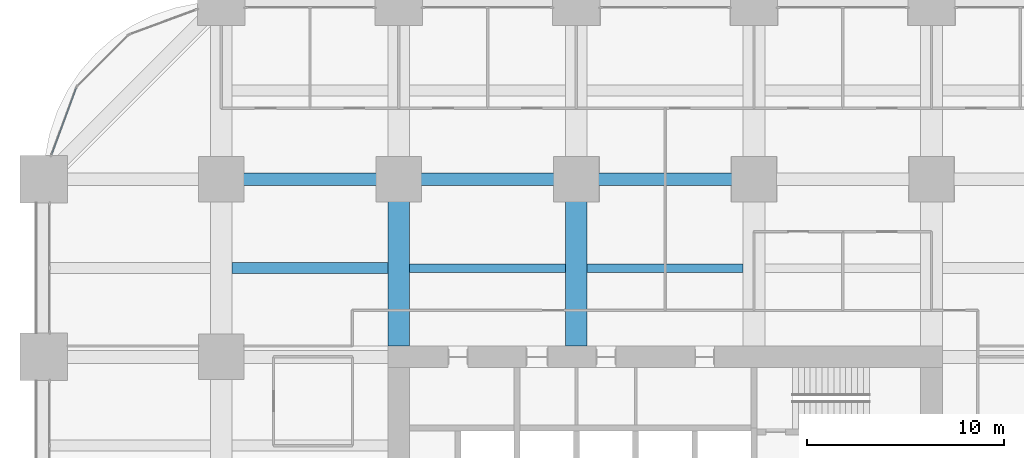
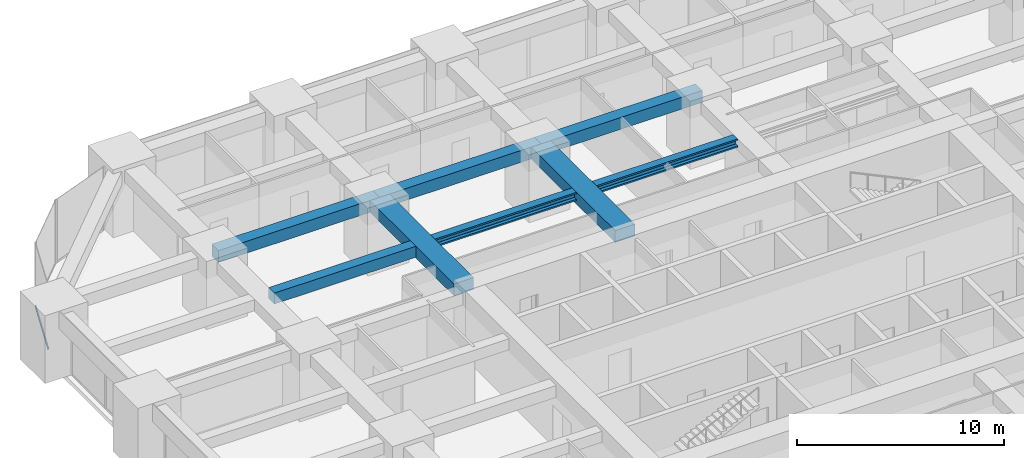
# One storey, part 26 of 45: 8 beams, 1 member, 1 element without a shape of its own.
"""IFC4 building model written with IfcOpenShell, lengths in metres."""

from ifc_helpers import new_model, si_unit, direction, frame, origin, origin_2d, place, context, subcontext, project, spatial, rectangle, hollow_rectangle, i_section, extrude, material, material_profile, profile_set, type_object, element, aggregate, save


model = new_model("IFC4")

# Units and contexts
model_context = context("Model", 3, precision=1e-05, world=origin(), true_north=direction((0.0, 1.0)))
body_context = subcontext(model_context, "Body", "Model", "MODEL_VIEW")
ifc_project = project(units=[si_unit("LENGTHUNIT", "METRE"), si_unit("AREAUNIT", "SQUARE_METRE"), si_unit("VOLUMEUNIT", "CUBIC_METRE"), si_unit("PLANEANGLEUNIT", "RADIAN"), si_unit("MASSUNIT", "GRAM", prefix="KILO")], contexts=[model_context])

# Site, building, storey
site_placement = place(None, origin())
site = spatial("IfcSite", under=ifc_project, at=site_placement, CompositionType="ELEMENT")
building_placement = place(site_placement, origin())
building = spatial("IfcBuilding", under=site, at=building_placement, Name="Zorevar Civic Tower", CompositionType="ELEMENT")
storey_placement = place(building_placement, frame((0.0, 0.0, 47.800048828125)))
storey = spatial("IfcBuildingStorey", under=building, at=storey_placement, Name="L11", CompositionType="ELEMENT", Elevation=47.800048828125)

# Beams
ifc_material_1 = material(Name="Concrete C50/60", Category="concrete")
ifc_material_profile_1 = material_profile(ifc_material_1, rectangle(XDim=1.10009765625, YDim=0.699951171875, at=origin_2d()), Name="RC 1100x700")
ifc_profile_set_1 = profile_set([ifc_material_profile_1], Name="Concrete C50/60")
beam_type_1 = type_object("IfcBeamType", Name="Beam RC 1100x700", PredefinedType="BEAM", material=ifc_profile_set_1)
for number, where, z_axis, x_axis, name in (
    (1, (18.0, 36.550048828125, 3.39990234375), (0.0, 1.0, 0.0), (-1.0, 0.0, 0.0), "Girder L12"),
    (2, (27.0, 36.550048828125, 3.39990234375), (0.0, 1.0, 0.0), (-1.0, 0.0, 0.0), "Girder L12"),
):
    element("IfcBeam", number, at=place(storey_placement, frame(where, z_axis=z_axis, x_axis=x_axis)), inside=storey, type_object=beam_type_1, Name=name, PredefinedType="BEAM", context=body_context, shape_type="SweptSolid", body=[
        extrude(rectangle(XDim=1.10009765625, YDim=0.699951171875, at=origin_2d()), origin(), (0.0, 0.0, 1.0), 8.449951171875),
    ])
ifc_material_2 = material(Name="Concrete C50/60", Category="concrete")
ifc_material_profile_2 = material_profile(ifc_material_2, rectangle(XDim=0.550048828125, YDim=0.64990234375, at=origin_2d()), Name="RC 550x650")
ifc_profile_set_2 = profile_set([ifc_material_profile_2], Name="Concrete C50/60")
beam_type_2 = type_object("IfcBeamType", Name="Beam RC 550x650", PredefinedType="BEAM", material=ifc_profile_set_2)
beam_placement = place(storey_placement, frame((9.550048828125, 40.5, 3.425048828125), z_axis=(1.0, 0.0, 0.0), x_axis=(0.0, 1.0, 0.0)))
element("IfcBeam", 3, at=beam_placement, inside=storey, type_object=beam_type_2, Name="Secondary beam L12", PredefinedType="BEAM", context=body_context, shape_type="SweptSolid", body=[
    extrude(rectangle(XDim=0.550048828125, YDim=0.64990234375, at=origin_2d()), origin(), (0.0, 0.0, 1.0), 7.89990234375),
])
ifc_material_3 = material(Name="Concrete C50/60", Category="concrete")
ifc_material_profile_3 = material_profile(ifc_material_3, rectangle(XDim=0.64990234375, YDim=0.699951171875, at=origin_2d()), Name="RC 650x700")
ifc_profile_set_3 = profile_set([ifc_material_profile_3], Name="Concrete C50/60")
beam_type_3 = type_object("IfcBeamType", Name="Beam RC 650x700", PredefinedType="BEAM", material=ifc_profile_set_3)
for number, where, z_axis, x_axis, name in (
    (4, (9.0, 45.0, 3.39990234375), (1.0, 0.0, 0.0), (0.0, 1.0, 0.0), "Girder L12"),
    (5, (18.0, 45.0, 3.39990234375), (1.0, 0.0, 0.0), (0.0, 1.0, 0.0), "Girder L12"),
    (6, (27.0, 45.0, 3.39990234375), (1.0, 0.0, 0.0), (0.0, 1.0, 0.0), "Girder L12"),
):
    element("IfcBeam", number, at=place(storey_placement, frame(where, z_axis=z_axis, x_axis=x_axis)), inside=storey, type_object=beam_type_3, Name=name, PredefinedType="BEAM", context=body_context, shape_type="SweptSolid", body=[
        extrude(rectangle(XDim=0.64990234375, YDim=0.699951171875, at=origin_2d()), origin(), (0.0, 0.0, 1.0), 9.0),
    ])

# Curtain wall, member
ifc_material_4 = material(Name="Dark grey solar-control glass in black aluminium frame", Category="aluminium")
curtain_wall_type = type_object("IfcCurtainWallType", Name="Curtain wall CW2 low zone", PredefinedType="NOTDEFINED", material=ifc_material_4)
curtain_wall_placement = place(storey_placement, origin())
curtain_wall = element("IfcCurtainWall", 7, at=curtain_wall_placement, inside=storey, type_object=curtain_wall_type, Name="CW2 L11", PredefinedType="NOTDEFINED")
ifc_material_5 = material(Name="Aluminium, black anodised", Category="aluminium")
ifc_material_profile_4 = material_profile(ifc_material_5, hollow_rectangle(XDim=0.06005859375, YDim=0.14990234375, WallThickness=0.00390625, at=origin_2d()), Name="AL 150x60x4")
ifc_profile_set_4 = profile_set([ifc_material_profile_4], Name="Aluminium, black anodised")
member_type = type_object("IfcMemberType", Name="CW2 transom AL 150x60x4", PredefinedType="USERDEFINED", material=ifc_profile_set_4)
member_placement = place(storey_placement, frame((1.6533203125, 49.636474609375, 0.030029296875), z_axis=(-0.346672169799, -0.93798635741, 0.0), x_axis=(0.93798635741, -0.346672169799, 0.0)))
member = element("IfcMember", 8, at=member_placement, type_object=member_type, Name="CW2 sill transom", ObjectType="TRANSOM", PredefinedType="USERDEFINED", context=body_context, shape_type="SweptSolid", body=[
    extrude(hollow_rectangle(XDim=0.06005859375, YDim=0.14990234375, WallThickness=0.00390625, at=origin_2d()), origin(), (0.0, 0.0, 1.0), 3.603515625),
])
aggregate(curtain_wall, [member])

# Beams
ifc_material_6 = material(Name="Steel S460M (HISTAR 460)", Category="steel")
ifc_material_profile_5 = material_profile(ifc_material_6, i_section(OverallWidth=0.431884765625, OverallDepth=0.498046875, WebThickness=0.0556640625, FlangeThickness=0.0888671875, FilletRadius=0.014892578125, at=origin_2d()), Name="HD 400x744")
ifc_profile_set_5 = profile_set([ifc_material_profile_5], Name="Steel S460M (HISTAR 460)")
beam_type_4 = type_object("IfcBeamType", Name="Core bay beam HD 400x744", PredefinedType="BEAM", material=ifc_profile_set_5)
for number, where, z_axis, x_axis, name in (
    (9, (18.550048828125, 40.5, 3.5009765625), (1.0, 0.0, 0.0), (0.0, 1.0, 0.0), "Secondary beam L12"),
    (10, (27.550048828125, 40.5, 3.5009765625), (1.0, 0.0, 0.0), (0.0, 1.0, 0.0), "Secondary beam L12"),
):
    element("IfcBeam", number, at=place(storey_placement, frame(where, z_axis=z_axis, x_axis=x_axis)), inside=storey, type_object=beam_type_4, Name=name, PredefinedType="BEAM", context=body_context, shape_type="SweptSolid", body=[
        extrude(i_section(OverallWidth=0.431884765625, OverallDepth=0.498046875, WebThickness=0.0556640625, FlangeThickness=0.0888671875, FilletRadius=0.014892578125, at=origin_2d()), origin(), (0.0, 0.0, 1.0), 7.89990234375),
    ])

save(model, "model.ifc")
